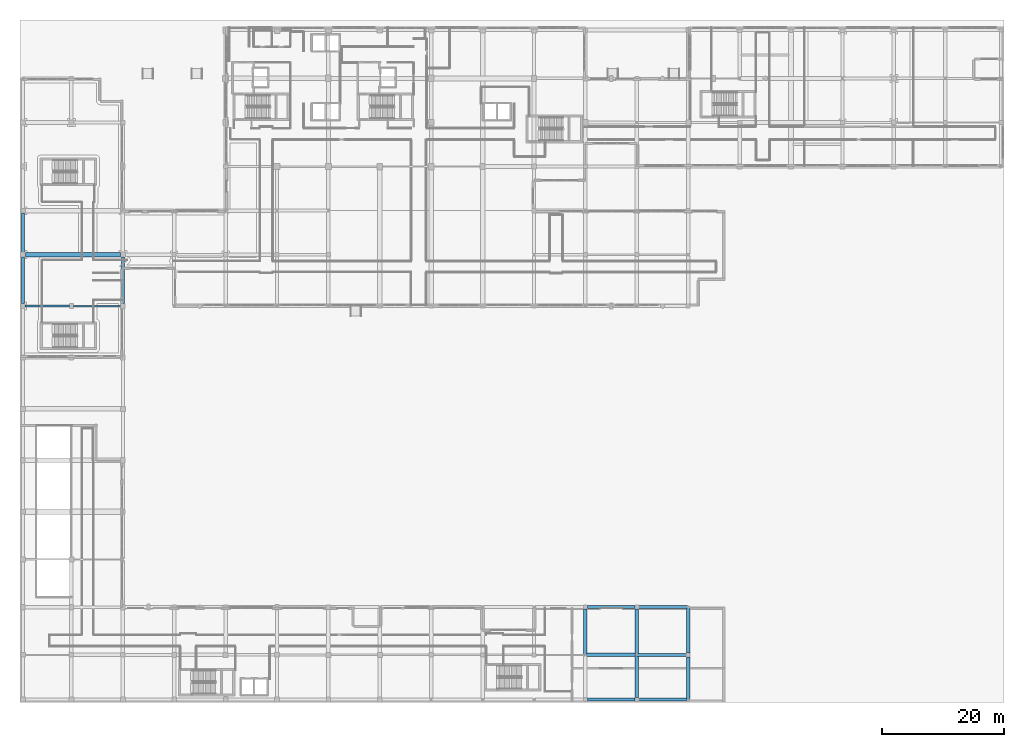
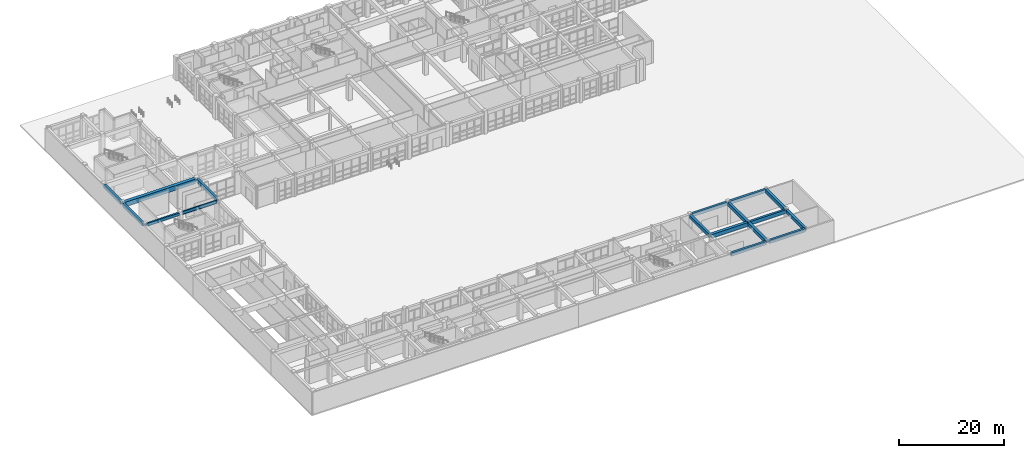
# One storey, part 38 of 148: 17 beams.
"""IFC4 building model written with IfcOpenShell, lengths in metres."""

from ifc_helpers import new_model, si_unit, direction, frame, origin, origin_2d, place, context, subcontext, project, spatial, rectangle, i_section, extrude, material, material_profile, profile_set, type_object, element, save


model = new_model("IFC4")

# Units and contexts
model_context = context("Model", 3, precision=1e-05, world=origin(), true_north=direction((0.0, 1.0)))
body_context = subcontext(model_context, "Body", "Model", "MODEL_VIEW")
ifc_project = project(units=[si_unit("LENGTHUNIT", "METRE"), si_unit("AREAUNIT", "SQUARE_METRE"), si_unit("VOLUMEUNIT", "CUBIC_METRE"), si_unit("PLANEANGLEUNIT", "RADIAN"), si_unit("MASSUNIT", "GRAM", prefix="KILO")], contexts=[model_context])

# Site, building, storey
site_placement = place(None, origin())
site = spatial("IfcSite", under=ifc_project, at=site_placement, CompositionType="ELEMENT")
building_placement = place(site_placement, origin())
building = spatial("IfcBuilding", under=site, at=building_placement, Name="Quendrovan Civic Courthouse", CompositionType="ELEMENT")
storey_placement = place(building_placement, origin())
storey = spatial("IfcBuildingStorey", under=building, at=storey_placement, Name="L01", CompositionType="ELEMENT", Elevation=0.0)

# Beams
ifc_material_1 = material(Name="Post-tensioned concrete C50/60", Category="concrete")
ifc_material_profile_1 = material_profile(ifc_material_1, rectangle(XDim=0.699951171875, YDim=1.10009765625, at=origin_2d()), Name="PT-GIRD-700x1100")
ifc_profile_set_1 = profile_set([ifc_material_profile_1], Name="Post-tensioned concrete C50/60")
beam_type_1 = type_object("IfcBeamType", Name="BM-PT1100", PredefinedType="BEAM", material=ifc_profile_set_1)
beam_1_placement = place(storey_placement, frame((0.8798828125, 73.199951171875, 4.570068359375), z_axis=(1.0, 0.0, 0.0), x_axis=(0.0, 1.0, 0.0)))
element("IfcBeam", 1, at=beam_1_placement, inside=storey, type_object=beam_type_1, Name="L01 Girder X0300", PredefinedType="BEAM", context=body_context, shape_type="SweptSolid", body=[
    extrude(rectangle(XDim=0.699951171875, YDim=1.10009765625, at=origin_2d()), origin(), (0.0, 0.0, 1.0), 15.5400390625),
])
ifc_material_2 = material(Name="Concrete C40/50", Category="concrete")
ifc_material_profile_2 = material_profile(ifc_material_2, rectangle(XDim=0.35009765625, YDim=0.64990234375, at=origin_2d()), Name="RC-BM-350x650")
ifc_profile_set_2 = profile_set([ifc_material_profile_2], Name="Concrete C40/50")
beam_type_2 = type_object("IfcBeamType", Name="BM-RC650B", PredefinedType="BEAM", material=ifc_profile_set_2)
beam_2_placement = place(storey_placement, frame((0.830078125, 64.800048828125, 4.794921875), z_axis=(1.0, 0.0, 0.0), x_axis=(0.0, 1.0, 0.0)))
element("IfcBeam", 2, at=beam_2_placement, inside=storey, type_object=beam_type_2, Name="L01 Girder X0285", PredefinedType="BEAM", context=body_context, shape_type="SweptSolid", body=[
    extrude(rectangle(XDim=0.35009765625, YDim=0.64990234375, at=origin_2d()), origin(), (0.0, 0.0, 1.0), 7.239990234375),
])
ifc_material_profile_3 = material_profile(ifc_material_2, rectangle(XDim=0.5, YDim=0.75, at=origin_2d()), Name="RC-BM-500x750")
ifc_profile_set_3 = profile_set([ifc_material_profile_3], Name="Concrete C40/50")
beam_type_3 = type_object("IfcBeamType", Name="BM-RC750", PredefinedType="SPANDREL", material=ifc_profile_set_3)
beam_3_placement = place(storey_placement, frame((92.705078125, 0.5, 4.7451171875), z_axis=(1.0, 0.0, 0.0), x_axis=(0.0, 1.0, 0.0)))
element("IfcBeam", 3, at=beam_3_placement, inside=storey, type_object=beam_type_3, Name="L01 Girder X0248", PredefinedType="SPANDREL", context=body_context, shape_type="SweptSolid", body=[
    extrude(rectangle(XDim=0.5, YDim=0.75, at=origin_2d()), origin(), (0.0, 0.0, 1.0), 7.7900390625),
])
beam_4_placement = place(storey_placement, frame((101.10498046875, 0.5, 4.7451171875), z_axis=(1.0, 0.0, 0.0), x_axis=(0.0, 1.0, 0.0)))
element("IfcBeam", 4, at=beam_4_placement, inside=storey, type_object=beam_type_3, Name="L01 Girder X0249", PredefinedType="SPANDREL", context=body_context, shape_type="SweptSolid", body=[
    extrude(rectangle(XDim=0.5, YDim=0.75, at=origin_2d()), origin(), (0.0, 0.0, 1.0), 7.965087890625),
])
beam_5_placement = place(storey_placement, frame((92.705078125, 15.60009765625, 4.7451171875), z_axis=(1.0, 0.0, 0.0), x_axis=(0.0, 1.0, 0.0)))
element("IfcBeam", 5, at=beam_5_placement, inside=storey, type_object=beam_type_3, Name="L01 Girder X0276", PredefinedType="SPANDREL", context=body_context, shape_type="SweptSolid", body=[
    extrude(rectangle(XDim=0.5, YDim=0.75, at=origin_2d()), origin(), (0.0, 0.0, 1.0), 7.7900390625),
])
beam_6_placement = place(storey_placement, frame((101.10498046875, 15.60009765625, 4.7451171875), z_axis=(1.0, 0.0, 0.0), x_axis=(0.0, 1.0, 0.0)))
element("IfcBeam", 6, at=beam_6_placement, inside=storey, type_object=beam_type_3, Name="L01 Girder X0277", PredefinedType="SPANDREL", context=body_context, shape_type="SweptSolid", body=[
    extrude(rectangle(XDim=0.5, YDim=0.75, at=origin_2d()), origin(), (0.0, 0.0, 1.0), 7.965087890625),
])
beam_7_placement = place(storey_placement, frame((0.5, 65.205078125, 4.7451171875), z_axis=(0.0, 1.0, 0.0), x_axis=(-1.0, 0.0, 0.0)))
element("IfcBeam", 7, at=beam_7_placement, inside=storey, type_object=beam_type_3, Name="L01 Girder Y0378", PredefinedType="SPANDREL", context=body_context, shape_type="SweptSolid", body=[
    extrude(rectangle(XDim=0.5, YDim=0.75, at=origin_2d()), origin(), (0.0, 0.0, 1.0), 7.614990234375),
])
beam_8_placement = place(storey_placement, frame((0.5, 73.580078125, 4.7451171875), z_axis=(0.0, 1.0, 0.0), x_axis=(-1.0, 0.0, 0.0)))
element("IfcBeam", 8, at=beam_8_placement, inside=storey, type_object=beam_type_3, Name="L01 Girder Y0379", PredefinedType="SPANDREL", context=body_context, shape_type="SweptSolid", body=[
    extrude(rectangle(XDim=0.5, YDim=0.75, at=origin_2d()), origin(), (0.0, 0.0, 1.0), 6.46484375),
])
beam_9_placement = place(storey_placement, frame((16.800048828125, 65.205078125, 4.7451171875), z_axis=(0.0, 1.0, 0.0), x_axis=(-1.0, 0.0, 0.0)))
element("IfcBeam", 9, at=beam_9_placement, inside=storey, type_object=beam_type_3, Name="L01 Girder Y0395", PredefinedType="SPANDREL", context=body_context, shape_type="SweptSolid", body=[
    extrude(rectangle(XDim=0.5, YDim=0.75, at=origin_2d()), origin(), (0.0, 0.0, 1.0), 7.614990234375),
])
ifc_material_profile_4 = material_profile(ifc_material_2, rectangle(XDim=0.550048828125, YDim=0.800048828125, at=origin_2d()), Name="RC-BM-550x800")
ifc_profile_set_4 = profile_set([ifc_material_profile_4], Name="Concrete C40/50")
beam_type_4 = type_object("IfcBeamType", Name="BM-RC800", PredefinedType="BEAM", material=ifc_profile_set_4)
beam_10_placement = place(storey_placement, frame((92.39990234375, 7.929931640625, 4.719970703125), z_axis=(0.0, 1.0, 0.0), x_axis=(-1.0, 0.0, 0.0)))
element("IfcBeam", 10, at=beam_10_placement, inside=storey, type_object=beam_type_4, Name="L01 Girder Y0442", PredefinedType="BEAM", context=body_context, shape_type="SweptSolid", body=[
    extrude(rectangle(XDim=0.550048828125, YDim=0.800048828125, at=origin_2d()), origin(), (0.0, 0.0, 1.0), 7.364990234375),
])
beam_11_placement = place(storey_placement, frame((100.800048828125, 0.804931640625, 4.719970703125), z_axis=(0.0, 1.0, 0.0), x_axis=(-1.0, 0.0, 0.0)))
element("IfcBeam", 11, at=beam_11_placement, inside=storey, type_object=beam_type_4, Name="L01 Girder Y0449", PredefinedType="BEAM", context=body_context, shape_type="SweptSolid", body=[
    extrude(rectangle(XDim=0.550048828125, YDim=0.800048828125, at=origin_2d()), origin(), (0.0, 0.0, 1.0), 6.864990234375),
])
beam_12_placement = place(storey_placement, frame((100.800048828125, 7.929931640625, 4.719970703125), z_axis=(0.0, 1.0, 0.0), x_axis=(-1.0, 0.0, 0.0)))
element("IfcBeam", 12, at=beam_12_placement, inside=storey, type_object=beam_type_4, Name="L01 Girder Y0450", PredefinedType="BEAM", context=body_context, shape_type="SweptSolid", body=[
    extrude(rectangle(XDim=0.550048828125, YDim=0.800048828125, at=origin_2d()), origin(), (0.0, 0.0, 1.0), 7.364990234375),
])
beam_13_placement = place(storey_placement, frame((109.199951171875, 0.6298828125, 4.719970703125), z_axis=(0.0, 1.0, 0.0), x_axis=(-1.0, 0.0, 0.0)))
element("IfcBeam", 13, at=beam_13_placement, inside=storey, type_object=beam_type_4, Name="L01 Girder Y0456", PredefinedType="BEAM", context=body_context, shape_type="SweptSolid", body=[
    extrude(rectangle(XDim=0.550048828125, YDim=0.800048828125, at=origin_2d()), origin(), (0.0, 0.0, 1.0), 6.865234375),
])
beam_14_placement = place(storey_placement, frame((109.199951171875, 8.10498046875, 4.719970703125), z_axis=(0.0, 1.0, 0.0), x_axis=(-1.0, 0.0, 0.0)))
element("IfcBeam", 14, at=beam_14_placement, inside=storey, type_object=beam_type_4, Name="L01 Girder Y0457", PredefinedType="BEAM", context=body_context, shape_type="SweptSolid", body=[
    extrude(rectangle(XDim=0.550048828125, YDim=0.800048828125, at=origin_2d()), origin(), (0.0, 0.0, 1.0), 7.364990234375),
])
ifc_material_3 = material(Name="Concrete C45/55", Category="concrete")
ifc_material_profile_5 = material_profile(ifc_material_3, rectangle(XDim=0.449951171875, YDim=0.85009765625, at=origin_2d()), Name="RC-BM-450x850")
ifc_profile_set_5 = profile_set([ifc_material_profile_5], Name="Concrete C45/55")
beam_type_5 = type_object("IfcBeamType", Name="BM-RC850", PredefinedType="BEAM", material=ifc_profile_set_5)
beam_15_placement = place(storey_placement, frame((100.929931640625, 7.800048828125, 4.695068359375), z_axis=(1.0, 0.0, 0.0), x_axis=(0.0, 1.0, 0.0)))
element("IfcBeam", 15, at=beam_15_placement, inside=storey, type_object=beam_type_5, Name="L01 Girder X0262", PredefinedType="BEAM", context=body_context, shape_type="SweptSolid", body=[
    extrude(rectangle(XDim=0.449951171875, YDim=0.85009765625, at=origin_2d()), origin(), (0.0, 0.0, 1.0), 7.965087890625),
])
ifc_material_profile_6 = material_profile(ifc_material_2, rectangle(XDim=0.60009765625, YDim=0.89990234375, at=origin_2d()), Name="RC-BM-600x900")
ifc_profile_set_6 = profile_set([ifc_material_profile_6], Name="Concrete C40/50")
beam_type_6 = type_object("IfcBeamType", Name="BM-RC900", PredefinedType="BEAM", material=ifc_profile_set_6)
beam_16_placement = place(storey_placement, frame((92.530029296875, 7.800048828125, 4.669921875), z_axis=(1.0, 0.0, 0.0), x_axis=(0.0, 1.0, 0.0)))
element("IfcBeam", 16, at=beam_16_placement, inside=storey, type_object=beam_type_6, Name="L01 Girder X0261", PredefinedType="BEAM", context=body_context, shape_type="SweptSolid", body=[
    extrude(rectangle(XDim=0.60009765625, YDim=0.89990234375, at=origin_2d()), origin(), (0.0, 0.0, 1.0), 8.139892578125),
])
ifc_material_4 = material(Name="Steel ASTM A992 Grade 50", Category="steel")
ifc_material_profile_7 = material_profile(ifc_material_4, i_section(OverallWidth=0.26611328125, OverallDepth=0.758056640625, WebThickness=0.013916015625, FlangeThickness=0.019287109375, at=origin_2d()), Name="W30X108")
ifc_profile_set_7 = profile_set([ifc_material_profile_7], Name="Steel ASTM A992 Grade 50")
beam_type_7 = type_object("IfcBeamType", Name="BM-STL-W30", PredefinedType="BEAM", material=ifc_profile_set_7)
beam_17_placement = place(storey_placement, frame((8.72998046875, 64.800048828125, 4.740966796875), z_axis=(1.0, 0.0, 0.0), x_axis=(0.0, 1.0, 0.0)))
element("IfcBeam", 17, at=beam_17_placement, inside=storey, type_object=beam_type_7, Name="L01 Girder X0286", PredefinedType="BEAM", context=body_context, shape_type="SweptSolid", body=[
    extrude(i_section(OverallWidth=0.26611328125, OverallDepth=0.758056640625, WebThickness=0.013916015625, FlangeThickness=0.019287109375, at=origin_2d()), origin(), (0.0, 0.0, 1.0), 7.739990234375),
])

save(model, "model.ifc")
